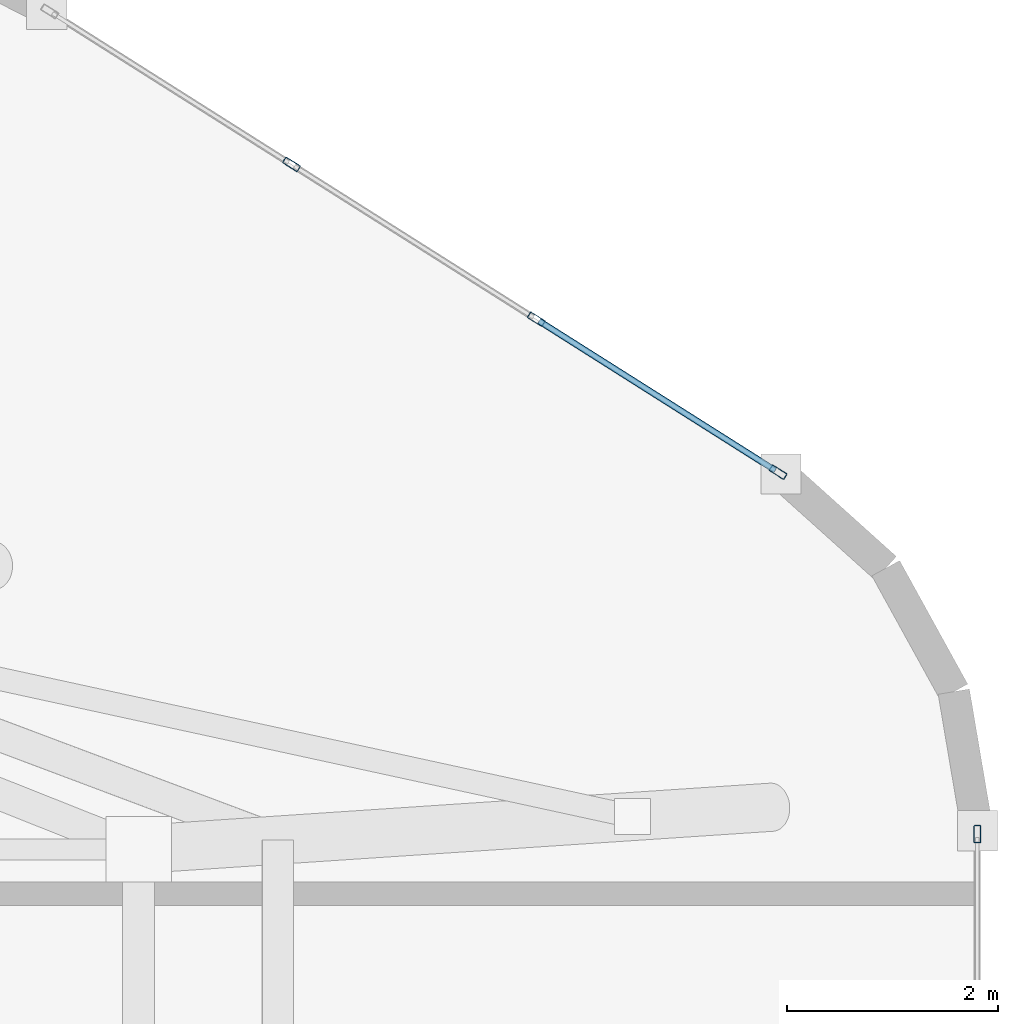
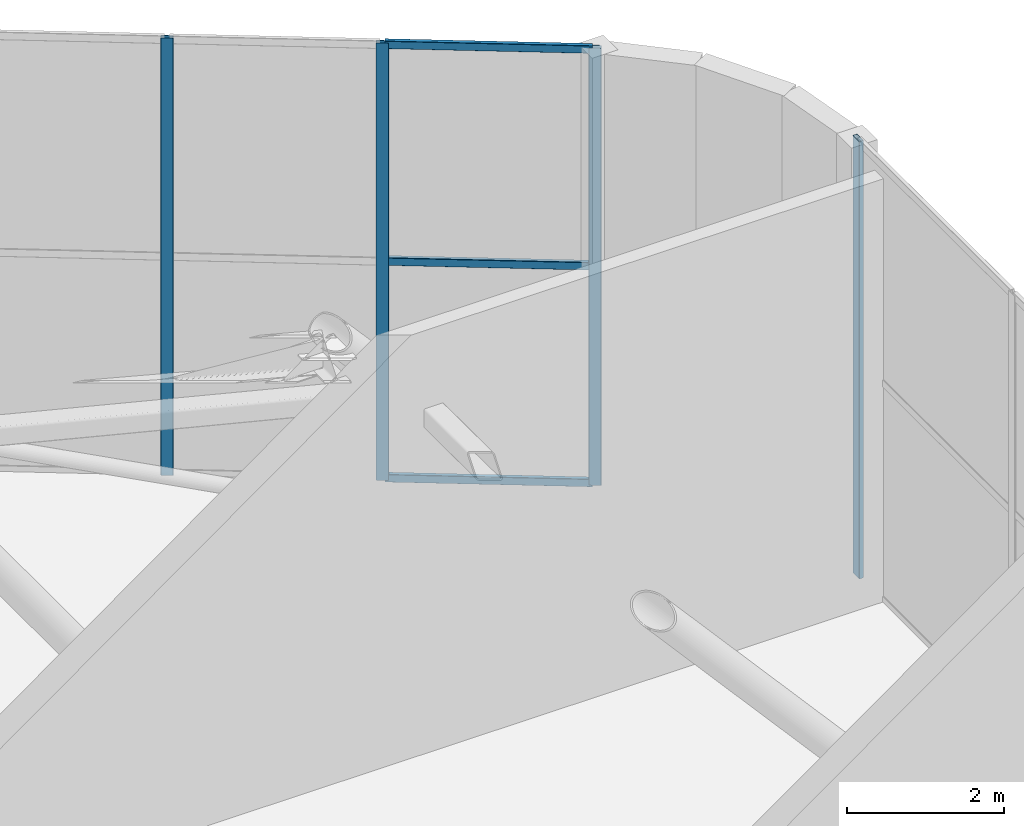
# One storey, part 19 of 24: 7 members, 2 elements without a shape of their own.
"""IFC4 building model written with IfcOpenShell, lengths in metres."""

from ifc_helpers import new_model, si_unit, direction, frame, origin, origin_2d, place, context, subcontext, project, spatial, hollow_rectangle, extrude, material, layer, layer_set, material_profile, profile_set, type_object, element, aggregate, save


model = new_model("IFC4")

# Units and contexts
model_context = context("Model", 3, precision=1e-05, world=origin(), true_north=direction((0.0, 1.0)))
body_context = subcontext(model_context, "Body", "Model", "MODEL_VIEW")
ifc_project = project(units=[si_unit("LENGTHUNIT", "METRE"), si_unit("AREAUNIT", "SQUARE_METRE"), si_unit("VOLUMEUNIT", "CUBIC_METRE"), si_unit("PLANEANGLEUNIT", "RADIAN"), si_unit("MASSUNIT", "GRAM", prefix="KILO")], contexts=[model_context])

# Site, building, storey
site_placement = place(None, origin())
site = spatial("IfcSite", under=ifc_project, at=site_placement, CompositionType="ELEMENT")
building_placement = place(site_placement, origin())
building = spatial("IfcBuilding", under=site, at=building_placement, Name="An Khanh Terracotta Commons", CompositionType="ELEMENT")
storey_placement = place(building_placement, frame((0.0, 0.0, 315.199951171875)))
storey = spatial("IfcBuildingStorey", under=building, at=storey_placement, Name="L80 Crown Cooling Plant", CompositionType="ELEMENT", Elevation=315.199951171875)

# Curtain wall, member
ifc_material = material(Name="Anodised Aluminium 6063-T6", Category="aluminium")
ifc_layer = layer(ifc_material, 0.18994140625, Name="Anodised Aluminium 6063-T6")
ifc_layer_set = layer_set([ifc_layer], Name="Anodised Aluminium 6063-T6")
curtain_wall_type = type_object("IfcCurtainWallType", Name="CW-SYS-06", PredefinedType="USERDEFINED", material=ifc_layer_set)
curtain_wall_1_placement = place(storey_placement, origin())
curtain_wall_1 = element("IfcCurtainWall", 1, at=curtain_wall_1_placement, inside=storey, type_object=curtain_wall_type, Name="L80 Crown Cooling Plant CW-06 Unitised Curtain Wall CW-L80-12", ObjectType="UNITISED CURTAIN WALL", PredefinedType="USERDEFINED")
ifc_material_profile_1 = material_profile(ifc_material, hollow_rectangle(XDim=0.06494140625, YDim=0.1650390625, WallThickness=0.00390625, InnerFilletRadius=0.00390625, OuterFilletRadius=0.008056640625, at=origin_2d()), Name="RHS165x65x4")
ifc_profile_set_1 = profile_set([ifc_material_profile_1], Name="Anodised Aluminium 6063-T6")
member_type_1 = type_object("IfcMemberType", Name="CWM-RHS165x65x4", PredefinedType="MULLION", material=ifc_profile_set_1)
member_1_placement = place(storey_placement, frame((64.800048828125, 27.964599609375, 0.0), z_axis=(0.0, 0.0, 1.0), x_axis=(-1.0, 0.0, 0.0)))
member_1 = element("IfcMember", 2, at=member_1_placement, type_object=member_type_1, Name="CW-06 mullion 3", PredefinedType="MULLION", context=body_context, shape_type="SweptSolid", body=[
    extrude(hollow_rectangle(XDim=0.06494140625, YDim=0.1650390625, WallThickness=0.00390625, InnerFilletRadius=0.00390625, OuterFilletRadius=0.008056640625, at=origin_2d()), origin(), (0.0, 0.0, 1.0), 6.800048828125),
])
aggregate(curtain_wall_1, [member_1])

# Curtain wall, members
curtain_wall_2_placement = place(storey_placement, origin())
curtain_wall_2 = element("IfcCurtainWall", 3, at=curtain_wall_2_placement, inside=storey, type_object=curtain_wall_type, Name="L80 Crown Cooling Plant CW-06 Unitised Curtain Wall CW-L80-16", ObjectType="UNITISED CURTAIN WALL", PredefinedType="USERDEFINED")
member_2_placement = place(storey_placement, frame((62.91162109375, 31.395263671875, 0.0), z_axis=(0.0, 0.0, 1.0), x_axis=(-0.53458684232, -0.845113547412, 0.0)))
member_2 = element("IfcMember", 4, at=member_2_placement, type_object=member_type_1, Name="CW-06 mullion 1", PredefinedType="MULLION", context=body_context, shape_type="SweptSolid", body=[
    extrude(hollow_rectangle(XDim=0.06494140625, YDim=0.1650390625, WallThickness=0.00390625, InnerFilletRadius=0.00390625, OuterFilletRadius=0.008056640625, at=origin_2d()), origin(), (0.0, 0.0, 1.0), 6.800048828125),
])
member_3_placement = place(storey_placement, frame((60.619384765625, 32.84521484375, 0.0), z_axis=(0.0, 0.0, 1.0), x_axis=(-0.53458684232, -0.845113547412, 0.0)))
member_3 = element("IfcMember", 5, at=member_3_placement, type_object=member_type_1, Name="CW-06 mullion 2", PredefinedType="MULLION", context=body_context, shape_type="SweptSolid", body=[
    extrude(hollow_rectangle(XDim=0.06494140625, YDim=0.1650390625, WallThickness=0.00390625, InnerFilletRadius=0.00390625, OuterFilletRadius=0.008056640625, at=origin_2d()), origin(), (0.0, 0.0, 1.0), 6.800048828125),
])
member_4_placement = place(storey_placement, frame((58.299560546875, 34.312744140625, 0.0), z_axis=(0.0, 0.0, 1.0), x_axis=(-0.53458684232, -0.845113547412, 0.0)))
member_4 = element("IfcMember", 6, at=member_4_placement, type_object=member_type_1, Name="CW-06 mullion 3", PredefinedType="MULLION", context=body_context, shape_type="SweptSolid", body=[
    extrude(hollow_rectangle(XDim=0.06494140625, YDim=0.1650390625, WallThickness=0.00390625, InnerFilletRadius=0.00390625, OuterFilletRadius=0.008056640625, at=origin_2d()), origin(), (0.0, 0.0, 1.0), 6.800048828125),
])
ifc_material_profile_2 = material_profile(ifc_material, hollow_rectangle(XDim=0.06005859375, YDim=0.1201171875, WallThickness=0.003662109375, InnerFilletRadius=0.003662109375, OuterFilletRadius=0.007080078125, at=origin_2d()), Name="RHS120x60x3.6")
ifc_profile_set_2 = profile_set([ifc_material_profile_2], Name="Anodised Aluminium 6063-T6")
member_type_2 = type_object("IfcMemberType", Name="CWT-RHS120x60x3.6", PredefinedType="USERDEFINED", material=ifc_profile_set_2)
member_5_placement = place(storey_placement, frame((62.884033203125, 31.412841796875, 0.030029296875), z_axis=(-0.845146859305, 0.534534176837, 0.0), x_axis=(-0.534534176837, -0.845146859305, 0.0)))
member_5 = element("IfcMember", 7, at=member_5_placement, type_object=member_type_2, Name="CW-06 transom 1.1", ObjectType="TRANSOM", PredefinedType="USERDEFINED", context=body_context, shape_type="SweptSolid", body=[
    extrude(hollow_rectangle(XDim=0.06005859375, YDim=0.1201171875, WallThickness=0.003662109375, InnerFilletRadius=0.003662109375, OuterFilletRadius=0.007080078125, at=origin_2d()), origin(), (0.0, 0.0, 1.0), 2.647216796875),
])
member_6_placement = place(storey_placement, frame((62.884033203125, 31.412841796875, 3.400146484375), z_axis=(-0.845146859305, 0.534534176837, 0.0), x_axis=(-0.534534176837, -0.845146859305, 0.0)))
member_6 = element("IfcMember", 8, at=member_6_placement, type_object=member_type_2, Name="CW-06 transom 1.2", ObjectType="TRANSOM", PredefinedType="USERDEFINED", context=body_context, shape_type="SweptSolid", body=[
    extrude(hollow_rectangle(XDim=0.06005859375, YDim=0.1201171875, WallThickness=0.003662109375, InnerFilletRadius=0.003662109375, OuterFilletRadius=0.007080078125, at=origin_2d()), origin(), (0.0, 0.0, 1.0), 2.647216796875),
])
member_7_placement = place(storey_placement, frame((62.884033203125, 31.412841796875, 6.77001953125), z_axis=(-0.845146859305, 0.534534176837, 0.0), x_axis=(-0.534534176837, -0.845146859305, 0.0)))
member_7 = element("IfcMember", 9, at=member_7_placement, type_object=member_type_2, Name="CW-06 transom 1.3", ObjectType="TRANSOM", PredefinedType="USERDEFINED", context=body_context, shape_type="SweptSolid", body=[
    extrude(hollow_rectangle(XDim=0.06005859375, YDim=0.1201171875, WallThickness=0.003662109375, InnerFilletRadius=0.003662109375, OuterFilletRadius=0.007080078125, at=origin_2d()), origin(), (0.0, 0.0, 1.0), 2.647216796875),
])
aggregate(curtain_wall_2, [member_2, member_3, member_4, member_5, member_6, member_7])

save(model, "model.ifc")
